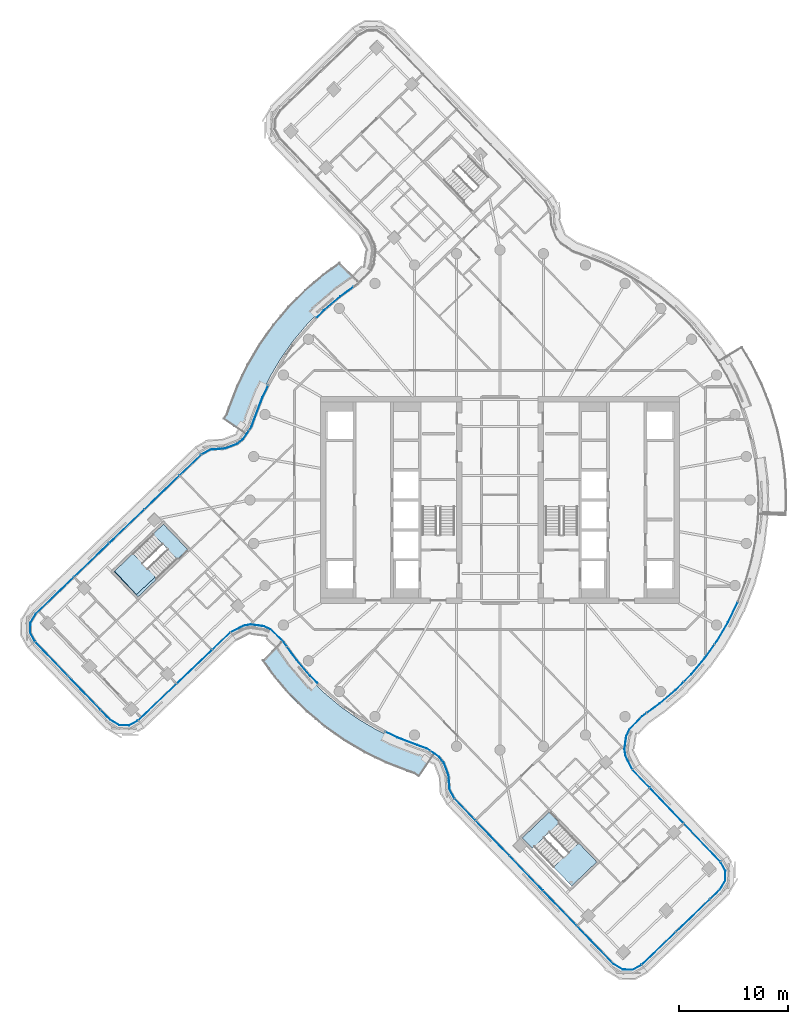
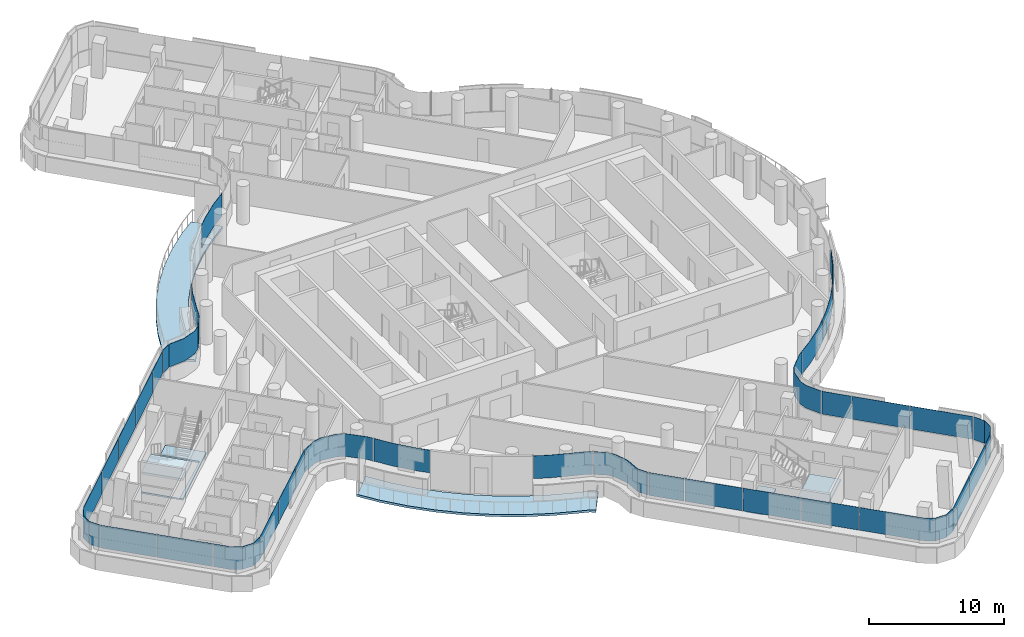
# One storey, part 18 of 34: 33 plates, 6 slabs, 11 elements without a shape of their own.
"""IFC4 building model written with IfcOpenShell, lengths in metres."""

from ifc_helpers import new_model, si_unit, direction, frame, origin, place, context, subcontext, project, spatial, polyline, outline, extrude, material, layer, layer_set, type_object, element, aggregate, save


model = new_model("IFC4")

# Units and contexts
model_context = context("Model", 3, precision=1e-05, world=origin(), true_north=direction((0.0, 1.0)))
body_context = subcontext(model_context, "Body", "Model", "MODEL_VIEW")
ifc_project = project(units=[si_unit("LENGTHUNIT", "METRE"), si_unit("AREAUNIT", "SQUARE_METRE"), si_unit("VOLUMEUNIT", "CUBIC_METRE"), si_unit("PLANEANGLEUNIT", "RADIAN"), si_unit("MASSUNIT", "GRAM", prefix="KILO")], contexts=[model_context])

# Site, building, storey
site_placement = place(None, origin())
site = spatial("IfcSite", under=ifc_project, at=site_placement, CompositionType="ELEMENT")
building_placement = place(site_placement, origin())
building = spatial("IfcBuilding", under=site, at=building_placement, Name="Tamarind Cross Interchange Tower", CompositionType="ELEMENT")
storey_placement = place(building_placement, frame((0.0, 0.0, 193.300048828125)))
storey = spatial("IfcBuildingStorey", under=building, at=storey_placement, Name="L48", CompositionType="ELEMENT", Elevation=193.300048828125)

# Slabs
ifc_material_1 = material(Name="Precast concrete C40", Category="concrete")
ifc_layer_1 = layer(ifc_material_1, 0.199951171875)
ifc_layer_set_1 = layer_set([ifc_layer_1], Name="Precast concrete C40")
slab_type_1 = type_object("IfcSlabType", Name="Balcony slab", PredefinedType="BASESLAB", material=ifc_layer_set_1)
slab_1_placement = place(storey_placement, frame((0.0, 0.0, -0.199951171875)))
element("IfcSlab", 1, at=slab_1_placement, inside=storey, type_object=slab_type_1, Name="SLB-L48-BAL02", PredefinedType="BASESLAB", context=body_context, shape_type="SweptSolid", body=[
    extrude(outline(polyline([(-20.123046875, -13.123291015625), (-20.031982421875, -13.2109375), (-18.87255859375, -14.820068359375), (-17.584228515625, -16.327880859375), (-16.17578125, -17.72412109375), (-14.656982421875, -18.99951171875), (-13.0380859375, -20.14501953125), (-11.329833984375, -21.15283203125), (-9.54443359375, -22.01611328125), (-7.69384765625, -22.72900390625), (-6.82763671875, -23.034423828125), (-6.17333984375, -23.475830078125), (-7.515625, -25.465576171875), (-7.915283203125, -25.19580078125), (-8.5244140625, -24.98095703125), (-10.499755859375, -24.219970703125), (-12.464111328125, -23.270263671875), (-14.343017578125, -22.161376953125), (-16.124267578125, -20.9013671875), (-17.795166015625, -19.498291015625), (-19.344482421875, -17.96240234375), (-20.76171875, -16.303466796875), (-21.85205078125, -14.790283203125), (-21.786376953125, -14.853271484375), (-20.123046875, -13.123291015625)])), origin(), (0.0, 0.0, 1.0), 0.199951171875),
])
slab_2_placement = place(storey_placement, frame((0.0, 0.0, -0.199951171875)))
element("IfcSlab", 2, at=slab_2_placement, inside=storey, type_object=slab_type_1, Name="SLB-L48-BAL10", PredefinedType="BASESLAB", context=body_context, shape_type="SweptSolid", body=[
    extrude(outline(polyline([(-13.123291015625, 20.123046875), (-13.2109375, 20.031982421875), (-14.820068359375, 18.87255859375), (-16.327880859375, 17.584228515625), (-17.72412109375, 16.17578125), (-18.99951171875, 14.656982421875), (-20.14501953125, 13.0380859375), (-21.15283203125, 11.329833984375), (-22.01611328125, 9.54443359375), (-22.72900390625, 7.69384765625), (-23.034423828125, 6.82763671875), (-23.475830078125, 6.17333984375), (-25.465576171875, 7.515625), (-25.19580078125, 7.915283203125), (-24.98095703125, 8.5244140625), (-24.219970703125, 10.499755859375), (-23.270263671875, 12.464111328125), (-22.161376953125, 14.343017578125), (-20.9013671875, 16.124267578125), (-19.498291015625, 17.795166015625), (-17.96240234375, 19.344482421875), (-16.303466796875, 20.76171875), (-14.790283203125, 21.85205078125), (-14.853271484375, 21.786376953125), (-13.123291015625, 20.123046875)])), origin(), (0.0, 0.0, 1.0), 0.199951171875),
])
ifc_material_2 = material(Name="Concrete C35", Category="concrete")
ifc_layer_2 = layer(ifc_material_2, 0.139892578125)
ifc_layer_set_2 = layer_set([ifc_layer_2], Name="Concrete C35")
slab_type_2 = type_object("IfcSlabType", Name="Composite slab 140 Concrete C35", PredefinedType="FLOOR", material=ifc_layer_set_2)
slab_3_placement = place(storey_placement, frame((0.0, 0.0, -0.14013671875)))
element("IfcSlab", 3, at=slab_3_placement, inside=storey, type_object=slab_type_2, Name="Floor slab L48", PredefinedType="FLOOR", context=body_context, shape_type="SweptSolid", body=[
    extrude(outline(polyline([(-35.49560546875, -6.5966796875), (-33.277587890625, -8.9033203125), (-28.736572265625, -4.536376953125), (-30.954833984375, -2.229736328125), (-31.900390625, -3.13916015625), (-29.80029296875, -5.322998046875), (-33.43798828125, -8.696044921875), (-35.43701171875, -6.540283203125), (-35.49560546875, -6.5966796875)])), origin(), (0.0, 0.0, 1.0), 0.14013671875),
])
slab_4_placement = place(storey_placement, frame((0.0, 0.0, -0.14013671875)))
element("IfcSlab", 4, at=slab_4_placement, inside=storey, type_object=slab_type_2, Name="Floor slab L48", PredefinedType="FLOOR", context=body_context, shape_type="SweptSolid", body=[
    extrude(outline(polyline([(2.98779296875, -32.0458984375), (5.44580078125, -29.682373046875), (4.511962890625, -28.711181640625), (2.053955078125, -31.074951171875), (2.98779296875, -32.0458984375)])), origin(), (0.0, 0.0, 1.0), 0.14013671875),
])

# Stair, slab
ifc_material_3 = material(Name="Exit stair")
stair_type = type_object("IfcStairType", Name="Exit stair", PredefinedType="HALF_TURN_STAIR", material=ifc_material_3)
stair_1_placement = place(storey_placement, origin())
stair_1 = element("IfcStair", 5, at=stair_1_placement, inside=storey, type_object=stair_type, Name="L48 exit stair ST5", PredefinedType="HALF_TURN_STAIR")
ifc_material_4 = material(Name="Concrete C40", Category="concrete")
ifc_layer_3 = layer(ifc_material_4, 0.199951171875)
ifc_layer_set_3 = layer_set([ifc_layer_3], Name="Concrete C40")
slab_type_3 = type_object("IfcSlabType", Name="Stair landing", PredefinedType="LANDING", material=ifc_layer_set_3)
slab_5_placement = place(storey_placement, frame((0.0, 0.0, 1.599853515625)))
slab_5 = element("IfcSlab", 6, at=slab_5_placement, type_object=slab_type_3, Name="ST5 landing 1", PredefinedType="LANDING", context=body_context, shape_type="SweptSolid", body=[
    extrude(outline(polyline([(-33.757080078125, -4.9248046875), (-35.49560546875, -6.5966796875), (-33.277587890625, -8.9033203125), (-31.5390625, -7.2314453125), (-33.757080078125, -4.9248046875)])), origin(), (0.0, 0.0, 1.0), 0.2001953125),
])
aggregate(stair_1, [slab_5])

stair_2_placement = place(storey_placement, origin())
stair_2 = element("IfcStair", 7, at=stair_2_placement, inside=storey, type_object=stair_type, Name="L48 exit stair ST6", PredefinedType="HALF_TURN_STAIR")
slab_6_placement = place(storey_placement, frame((0.0, 0.0, 1.599853515625)))
slab_6 = element("IfcSlab", 8, at=slab_6_placement, type_object=slab_type_3, Name="ST6 landing 1", PredefinedType="LANDING", context=body_context, shape_type="SweptSolid", body=[
    extrude(outline(polyline([(4.9248046875, -33.757080078125), (6.5966796875, -35.49560546875), (8.9033203125, -33.277587890625), (7.2314453125, -31.5390625), (4.9248046875, -33.757080078125)])), origin(), (0.0, 0.0, 1.0), 0.2001953125),
])
aggregate(stair_2, [slab_6])

# Curtain wall, plates
ifc_material_5 = material(Name="Aluminium 6063-T6", Category="aluminium")
ifc_layer_4 = layer(ifc_material_5, 0.139892578125)
ifc_layer_set_4 = layer_set([ifc_layer_4], Name="Aluminium 6063-T6")
curtain_wall_type = type_object("IfcCurtainWallType", Name="Hotel curtain wall, 4.5 m bays", PredefinedType="NOTDEFINED", material=ifc_layer_set_4)
curtain_wall_1_placement = place(storey_placement, origin())
curtain_wall_1 = element("IfcCurtainWall", 9, at=curtain_wall_1_placement, inside=storey, type_object=curtain_wall_type, Name="CWS-L48-00", PredefinedType="NOTDEFINED")
ifc_material_6 = material(Name="Laminated low-e glass 6+1.52+6", Category="glass")
ifc_layer_5 = layer(ifc_material_6, 0.02392578125)
ifc_layer_set_5 = layer_set([ifc_layer_5], Name="Laminated low-e glass 6+1.52+6")
plate_type = type_object("IfcPlateType", Name="Vision panel CW2", PredefinedType="CURTAIN_PANEL", material=ifc_layer_set_5)
plate_1_placement = place(storey_placement, frame((0.0, 0.0, 1.39990234375)))
plate_1 = element("IfcPlate", 10, at=plate_1_placement, type_object=plate_type, Name="CWP-L48-00-00", PredefinedType="CURTAIN_PANEL", context=body_context, shape_type="SweptSolid", body=[
    extrude(outline(polyline([(-42.709228515625, -13.057373046875), (-39.738525390625, -16.146240234375), (-39.755859375, -16.162841796875), (-42.7265625, -13.073974609375), (-42.709228515625, -13.057373046875)])), origin(), (0.0, 0.0, 1.0), 2.06005859375),
])
plate_2_placement = place(storey_placement, frame((0.0, 0.0, 1.39990234375)))
plate_2 = element("IfcPlate", 11, at=plate_2_placement, type_object=plate_type, Name="CWP-L48-00-01", PredefinedType="CURTAIN_PANEL", context=body_context, shape_type="SweptSolid", body=[
    extrude(outline(polyline([(-39.697021484375, -16.189453125), (-36.726318359375, -19.278564453125), (-36.74365234375, -19.295166015625), (-39.71435546875, -16.2060546875), (-39.697021484375, -16.189453125)])), origin(), (0.0, 0.0, 1.0), 2.06005859375),
])
plate_3_placement = place(storey_placement, frame((0.0, 0.0, 1.39990234375)))
plate_3 = element("IfcPlate", 12, at=plate_3_placement, type_object=plate_type, Name="CWP-L48-00-02", PredefinedType="CURTAIN_PANEL", context=body_context, shape_type="SweptSolid", body=[
    extrude(outline(polyline([(-36.684814453125, -19.32177734375), (-35.8359375, -20.204345703125), (-35.022216796875, -20.695556640625), (-34.1005859375, -20.713623046875), (-33.29296875, -20.26806640625), (-33.28125, -20.2890625), (-34.0947265625, -20.73779296875), (-35.029052734375, -20.719482421875), (-35.85107421875, -20.22314453125), (-36.7021484375, -19.33837890625), (-36.684814453125, -19.32177734375)])), origin(), (0.0, 0.0, 1.0), 2.06005859375),
])
aggregate(curtain_wall_1, [plate_1, plate_2, plate_3])

curtain_wall_2_placement = place(storey_placement, origin())
curtain_wall_2 = element("IfcCurtainWall", 13, at=curtain_wall_2_placement, inside=storey, type_object=curtain_wall_type, Name="CWS-L48-01", PredefinedType="NOTDEFINED")
plate_4_placement = place(storey_placement, frame((0.0, 0.0, 1.39990234375)))
plate_4 = element("IfcPlate", 14, at=plate_4_placement, type_object=plate_type, Name="CWP-L48-01-00", PredefinedType="CURTAIN_PANEL", context=body_context, shape_type="SweptSolid", body=[
    extrude(outline(polyline([(-33.247314453125, -20.234619140625), (-29.75244140625, -16.89892578125), (-29.736083984375, -16.916259765625), (-33.23095703125, -20.251953125), (-33.247314453125, -20.234619140625)])), origin(), (0.0, 0.0, 1.0), 2.06005859375),
])
plate_5_placement = place(storey_placement, frame((0.0, 0.0, 1.39990234375)))
plate_5 = element("IfcPlate", 15, at=plate_5_placement, type_object=plate_type, Name="CWP-L48-01-01", PredefinedType="CURTAIN_PANEL", context=body_context, shape_type="SweptSolid", body=[
    extrude(outline(polyline([(-29.709228515625, -16.857666015625), (-26.49609375, -13.791015625), (-26.4794921875, -13.808349609375), (-29.692626953125, -16.875), (-29.709228515625, -16.857666015625)])), origin(), (0.0, 0.0, 1.0), 2.06005859375),
])
plate_6_placement = place(storey_placement, frame((0.0, 0.0, 1.39990234375)))
plate_6 = element("IfcPlate", 16, at=plate_6_placement, type_object=plate_type, Name="CWP-L48-01-02", PredefinedType="CURTAIN_PANEL", context=body_context, shape_type="SweptSolid", body=[
    extrude(outline(polyline([(-26.452880859375, -13.74951171875), (-24.81591796875, -12.187255859375), (-24.79931640625, -12.20458984375), (-26.436279296875, -13.766845703125), (-26.452880859375, -13.74951171875)])), origin(), (0.0, 0.0, 1.0), 2.06005859375),
])
aggregate(curtain_wall_2, [plate_4, plate_5, plate_6])

curtain_wall_3_placement = place(storey_placement, origin())
curtain_wall_3 = element("IfcCurtainWall", 17, at=curtain_wall_3_placement, inside=storey, type_object=curtain_wall_type, Name="CWS-L48-02", PredefinedType="NOTDEFINED")
plate_7_placement = place(storey_placement, frame((0.0, 0.0, 1.39990234375)))
plate_7 = element("IfcPlate", 18, at=plate_7_placement, type_object=plate_type, Name="CWP-L48-02-00", PredefinedType="CURTAIN_PANEL", context=body_context, shape_type="SweptSolid", body=[
    extrude(outline(polyline([(-24.764404296875, -12.151123046875), (-23.556640625, -11.54345703125), (-22.924072265625, -11.4375), (-21.702880859375, -11.601806640625), (-21.11767578125, -11.872802734375), (-19.87109375, -13.0712890625), (-19.60986328125, -13.433837890625), (-19.62939453125, -13.447998046875), (-19.889404296875, -13.087158203125), (-21.13134765625, -11.892822265625), (-21.709716796875, -11.625244140625), (-22.923828125, -11.461669921875), (-23.549072265625, -11.566650390625), (-24.753662109375, -12.17236328125), (-24.764404296875, -12.151123046875)])), origin(), (0.0, 0.0, 1.0), 2.06005859375),
])
plate_8_placement = place(storey_placement, frame((0.0, 0.0, 1.39990234375)))
plate_8 = element("IfcPlate", 19, at=plate_8_placement, type_object=plate_type, Name="CWP-L48-02-01", PredefinedType="CURTAIN_PANEL", context=body_context, shape_type="SweptSolid", body=[
    extrude(outline(polyline([(-19.574951171875, -13.482666015625), (-18.705810546875, -14.68896484375), (-17.4287109375, -16.183349609375), (-16.738037109375, -16.868408203125), (-16.7548828125, -16.88525390625), (-17.4462890625, -16.19970703125), (-18.724609375, -14.703857421875), (-19.594482421875, -13.49658203125), (-19.574951171875, -13.482666015625)])), origin(), (0.0, 0.0, 1.0), 2.06005859375),
])
plate_9_placement = place(storey_placement, frame((0.0, 0.0, 1.39990234375)))
plate_9 = element("IfcPlate", 20, at=plate_9_placement, type_object=plate_type, Name="CWP-L48-02-03", PredefinedType="CURTAIN_PANEL", context=body_context, shape_type="SweptSolid", body=[
    extrude(outline(polyline([(-10.495849609375, -21.320556640625), (-9.4599609375, -21.821533203125), (-7.620361328125, -22.5302734375), (-6.731689453125, -22.843505859375), (-6.421875, -23.052490234375), (-6.435302734375, -23.072265625), (-6.742431640625, -22.865234375), (-7.628662109375, -22.552734375), (-9.469482421875, -21.843505859375), (-10.50634765625, -21.34228515625), (-10.495849609375, -21.320556640625)])), origin(), (0.0, 0.0, 1.0), 2.06005859375),
])
plate_10_placement = place(storey_placement, frame((0.0, 0.0, 1.39990234375)))
plate_10 = element("IfcPlate", 21, at=plate_10_placement, type_object=plate_type, Name="CWP-L48-02-04", PredefinedType="CURTAIN_PANEL", context=body_context, shape_type="SweptSolid", body=[
    extrude(outline(polyline([(-6.372314453125, -23.0859375), (-5.5732421875, -23.625), (-5.16796875, -24.133056640625), (-4.7177734375, -25.296875), (-4.619873046875, -26.658935546875), (-4.18115234375, -27.434814453125), (-4.2021484375, -27.446533203125), (-4.6435546875, -26.666015625), (-4.741455078125, -25.30224609375), (-5.18896484375, -24.14501953125), (-5.589599609375, -23.642822265625), (-6.3857421875, -23.10595703125), (-6.372314453125, -23.0859375)])), origin(), (0.0, 0.0, 1.0), 2.06005859375),
])
aggregate(curtain_wall_3, [plate_7, plate_8, plate_9, plate_10])

curtain_wall_4_placement = place(storey_placement, origin())
curtain_wall_4 = element("IfcCurtainWall", 22, at=curtain_wall_4_placement, inside=storey, type_object=curtain_wall_type, Name="CWS-L48-03", PredefinedType="NOTDEFINED")
plate_11_placement = place(storey_placement, frame((0.0, 0.0, 1.39990234375)))
plate_11 = element("IfcPlate", 23, at=plate_11_placement, type_object=plate_type, Name="CWP-L48-03-00", PredefinedType="CURTAIN_PANEL", context=body_context, shape_type="SweptSolid", body=[
    extrude(outline(polyline([(-4.1474609375, -27.47998046875), (-2.2666015625, -29.435791015625), (-2.283935546875, -29.452392578125), (-4.164794921875, -27.496826171875), (-4.1474609375, -27.47998046875)])), origin(), (0.0, 0.0, 1.0), 2.06005859375),
])
plate_12_placement = place(storey_placement, frame((0.0, 0.0, 1.39990234375)))
plate_12 = element("IfcPlate", 24, at=plate_12_placement, type_object=plate_type, Name="CWP-L48-03-01", PredefinedType="CURTAIN_PANEL", context=body_context, shape_type="SweptSolid", body=[
    extrude(outline(polyline([(-2.22509765625, -29.47900390625), (0.84521484375, -32.67138671875), (0.827880859375, -32.68798828125), (-2.2421875, -29.495849609375), (-2.22509765625, -29.47900390625)])), origin(), (0.0, 0.0, 1.0), 2.06005859375),
])
plate_13_placement = place(storey_placement, frame((0.0, 0.0, 1.39990234375)))
plate_13 = element("IfcPlate", 25, at=plate_13_placement, type_object=plate_type, Name="CWP-L48-03-02", PredefinedType="CURTAIN_PANEL", context=body_context, shape_type="SweptSolid", body=[
    extrude(outline(polyline([(0.88671875, -32.714599609375), (3.956787109375, -35.906982421875), (3.939453125, -35.923828125), (0.869384765625, -32.731201171875), (0.88671875, -32.714599609375)])), origin(), (0.0, 0.0, 1.0), 2.06005859375),
])
plate_14_placement = place(storey_placement, frame((0.0, 0.0, 1.39990234375)))
plate_14 = element("IfcPlate", 26, at=plate_14_placement, type_object=plate_type, Name="CWP-L48-03-03", PredefinedType="CURTAIN_PANEL", context=body_context, shape_type="SweptSolid", body=[
    extrude(outline(polyline([(3.99853515625, -35.950439453125), (7.068359375, -39.142578125), (7.051025390625, -39.1591796875), (3.981201171875, -35.967041015625), (3.99853515625, -35.950439453125)])), origin(), (0.0, 0.0, 1.0), 2.06005859375),
])
plate_15_placement = place(storey_placement, frame((0.0, 0.0, 1.39990234375)))
plate_15 = element("IfcPlate", 27, at=plate_15_placement, type_object=plate_type, Name="CWP-L48-03-04", PredefinedType="CURTAIN_PANEL", context=body_context, shape_type="SweptSolid", body=[
    extrude(outline(polyline([(7.110107421875, -39.185791015625), (10.46923828125, -42.678955078125), (11.282958984375, -43.170166015625), (12.20458984375, -43.18798828125), (13.011962890625, -42.74267578125), (13.0234375, -42.763671875), (12.21044921875, -43.212158203125), (11.276123046875, -43.19384765625), (10.4541015625, -42.69775390625), (7.0927734375, -39.202392578125), (7.110107421875, -39.185791015625)])), origin(), (0.0, 0.0, 1.0), 2.06005859375),
])
aggregate(curtain_wall_4, [plate_11, plate_12, plate_13, plate_14, plate_15])

curtain_wall_5_placement = place(storey_placement, origin())
curtain_wall_5 = element("IfcCurtainWall", 28, at=curtain_wall_5_placement, inside=storey, type_object=curtain_wall_type, Name="CWS-L48-04", PredefinedType="NOTDEFINED")
plate_16_placement = place(storey_placement, frame((0.0, 0.0, 1.39990234375)))
plate_16 = element("IfcPlate", 29, at=plate_16_placement, type_object=plate_type, Name="CWP-L48-04-00", PredefinedType="CURTAIN_PANEL", context=body_context, shape_type="SweptSolid", body=[
    extrude(outline(polyline([(13.057373046875, -42.709228515625), (16.146240234375, -39.738525390625), (16.162841796875, -39.755859375), (13.073974609375, -42.7265625), (13.057373046875, -42.709228515625)])), origin(), (0.0, 0.0, 1.0), 2.06005859375),
])
plate_17_placement = place(storey_placement, frame((0.0, 0.0, 1.39990234375)))
plate_17 = element("IfcPlate", 30, at=plate_17_placement, type_object=plate_type, Name="CWP-L48-04-01", PredefinedType="CURTAIN_PANEL", context=body_context, shape_type="SweptSolid", body=[
    extrude(outline(polyline([(16.189453125, -39.697021484375), (19.278564453125, -36.726318359375), (19.295166015625, -36.74365234375), (16.2060546875, -39.71435546875), (16.189453125, -39.697021484375)])), origin(), (0.0, 0.0, 1.0), 2.06005859375),
])
plate_18_placement = place(storey_placement, frame((0.0, 0.0, 1.39990234375)))
plate_18 = element("IfcPlate", 31, at=plate_18_placement, type_object=plate_type, Name="CWP-L48-04-02", PredefinedType="CURTAIN_PANEL", context=body_context, shape_type="SweptSolid", body=[
    extrude(outline(polyline([(19.32177734375, -36.684814453125), (20.204345703125, -35.8359375), (20.695556640625, -35.022216796875), (20.713623046875, -34.1005859375), (20.26806640625, -33.29296875), (20.2890625, -33.28125), (20.73779296875, -34.0947265625), (20.719482421875, -35.029052734375), (20.22314453125, -35.85107421875), (19.33837890625, -36.7021484375), (19.32177734375, -36.684814453125)])), origin(), (0.0, 0.0, 1.0), 2.06005859375),
])
aggregate(curtain_wall_5, [plate_16, plate_17, plate_18])

curtain_wall_6_placement = place(storey_placement, origin())
curtain_wall_6 = element("IfcCurtainWall", 32, at=curtain_wall_6_placement, inside=storey, type_object=curtain_wall_type, Name="CWS-L48-05", PredefinedType="NOTDEFINED")
plate_19_placement = place(storey_placement, frame((0.0, 0.0, 1.39990234375)))
plate_19 = element("IfcPlate", 33, at=plate_19_placement, type_object=plate_type, Name="CWP-L48-05-00", PredefinedType="CURTAIN_PANEL", context=body_context, shape_type="SweptSolid", body=[
    extrude(outline(polyline([(20.234619140625, -33.247314453125), (16.89892578125, -29.75244140625), (16.916259765625, -29.736083984375), (20.251953125, -33.23095703125), (20.234619140625, -33.247314453125)])), origin(), (0.0, 0.0, 1.0), 2.06005859375),
])
plate_20_placement = place(storey_placement, frame((0.0, 0.0, 1.39990234375)))
plate_20 = element("IfcPlate", 34, at=plate_20_placement, type_object=plate_type, Name="CWP-L48-05-01", PredefinedType="CURTAIN_PANEL", context=body_context, shape_type="SweptSolid", body=[
    extrude(outline(polyline([(16.857666015625, -29.709228515625), (13.791015625, -26.49609375), (13.808349609375, -26.4794921875), (16.875, -29.692626953125), (16.857666015625, -29.709228515625)])), origin(), (0.0, 0.0, 1.0), 2.06005859375),
])
plate_21_placement = place(storey_placement, frame((0.0, 0.0, 1.39990234375)))
plate_21 = element("IfcPlate", 35, at=plate_21_placement, type_object=plate_type, Name="CWP-L48-05-02", PredefinedType="CURTAIN_PANEL", context=body_context, shape_type="SweptSolid", body=[
    extrude(outline(polyline([(13.74951171875, -26.452880859375), (12.187255859375, -24.81591796875), (12.20458984375, -24.79931640625), (13.766845703125, -26.436279296875), (13.74951171875, -26.452880859375)])), origin(), (0.0, 0.0, 1.0), 2.06005859375),
])
aggregate(curtain_wall_6, [plate_19, plate_20, plate_21])

curtain_wall_7_placement = place(storey_placement, origin())
curtain_wall_7 = element("IfcCurtainWall", 36, at=curtain_wall_7_placement, inside=storey, type_object=curtain_wall_type, Name="CWS-L48-06", PredefinedType="NOTDEFINED")
plate_22_placement = place(storey_placement, frame((0.0, 0.0, 1.39990234375)))
plate_22 = element("IfcPlate", 37, at=plate_22_placement, type_object=plate_type, Name="CWP-L48-06-00", PredefinedType="CURTAIN_PANEL", context=body_context, shape_type="SweptSolid", body=[
    extrude(outline(polyline([(12.151123046875, -24.764404296875), (11.54345703125, -23.556640625), (11.4375, -22.924072265625), (11.601806640625, -21.702880859375), (11.872802734375, -21.11767578125), (13.0712890625, -19.87109375), (13.433837890625, -19.60986328125), (13.447998046875, -19.62939453125), (13.087158203125, -19.889404296875), (11.892822265625, -21.13134765625), (11.625244140625, -21.709716796875), (11.461669921875, -22.923828125), (11.566650390625, -23.549072265625), (12.17236328125, -24.753662109375), (12.151123046875, -24.764404296875)])), origin(), (0.0, 0.0, 1.0), 2.06005859375),
])
plate_23_placement = place(storey_placement, frame((0.0, 0.0, 1.39990234375)))
plate_23 = element("IfcPlate", 38, at=plate_23_placement, type_object=plate_type, Name="CWP-L48-06-01", PredefinedType="CURTAIN_PANEL", context=body_context, shape_type="SweptSolid", body=[
    extrude(outline(polyline([(13.482666015625, -19.574951171875), (14.68896484375, -18.705810546875), (16.183349609375, -17.4287109375), (16.868408203125, -16.738037109375), (16.88525390625, -16.7548828125), (16.19970703125, -17.4462890625), (14.703857421875, -18.724609375), (13.49658203125, -19.594482421875), (13.482666015625, -19.574951171875)])), origin(), (0.0, 0.0, 1.0), 2.06005859375),
])
plate_24_placement = place(storey_placement, frame((0.0, 0.0, 1.39990234375)))
plate_24 = element("IfcPlate", 39, at=plate_24_placement, type_object=plate_type, Name="CWP-L48-06-02", PredefinedType="CURTAIN_PANEL", context=body_context, shape_type="SweptSolid", body=[
    extrude(outline(polyline([(16.91064453125, -16.6953125), (17.5673828125, -16.032958984375), (18.83154296875, -14.52734375), (19.701416015625, -13.297607421875), (19.720947265625, -13.3115234375), (18.850341796875, -14.5419921875), (17.585205078125, -16.049072265625), (16.927490234375, -16.71240234375), (16.91064453125, -16.6953125)])), origin(), (0.0, 0.0, 1.0), 2.06005859375),
])
plate_25_placement = place(storey_placement, frame((0.0, 0.0, 1.39990234375)))
plate_25 = element("IfcPlate", 40, at=plate_25_placement, type_object=plate_type, Name="CWP-L48-06-03", PredefinedType="CURTAIN_PANEL", context=body_context, shape_type="SweptSolid", body=[
    extrude(outline(polyline([(19.736083984375, -13.248779296875), (19.966796875, -12.922607421875), (20.9658203125, -11.229736328125), (21.821533203125, -9.4599609375), (21.84765625, -9.39208984375), (21.8701171875, -9.400634765625), (21.843505859375, -9.469482421875), (20.98681640625, -11.240966796875), (19.987060546875, -12.935791015625), (19.755615234375, -13.262451171875), (19.736083984375, -13.248779296875)])), origin(), (0.0, 0.0, 1.0), 2.06005859375),
])
aggregate(curtain_wall_7, [plate_22, plate_23, plate_24, plate_25])

curtain_wall_8_placement = place(storey_placement, origin())
curtain_wall_8 = element("IfcCurtainWall", 41, at=curtain_wall_8_placement, inside=storey, type_object=curtain_wall_type, Name="CWS-L48-10", PredefinedType="NOTDEFINED")
plate_26_placement = place(storey_placement, frame((0.0, 0.0, 1.39990234375)))
plate_26 = element("IfcPlate", 42, at=plate_26_placement, type_object=plate_type, Name="CWP-L48-10-01", PredefinedType="CURTAIN_PANEL", context=body_context, shape_type="SweptSolid", body=[
    extrude(outline(polyline([(-13.482666015625, 19.574951171875), (-14.68896484375, 18.705810546875), (-16.183349609375, 17.4287109375), (-16.868408203125, 16.738037109375), (-16.88525390625, 16.7548828125), (-16.19970703125, 17.4462890625), (-14.703857421875, 18.724609375), (-13.49658203125, 19.594482421875), (-13.482666015625, 19.574951171875)])), origin(), (0.0, 0.0, 1.0), 2.06005859375),
])
plate_27_placement = place(storey_placement, frame((0.0, 0.0, 1.39990234375)))
plate_27 = element("IfcPlate", 43, at=plate_27_placement, type_object=plate_type, Name="CWP-L48-10-03", PredefinedType="CURTAIN_PANEL", context=body_context, shape_type="SweptSolid", body=[
    extrude(outline(polyline([(-21.320556640625, 10.495849609375), (-21.821533203125, 9.4599609375), (-22.5302734375, 7.620361328125), (-22.843505859375, 6.731689453125), (-23.052490234375, 6.421875), (-23.072265625, 6.435302734375), (-22.865234375, 6.742431640625), (-22.552734375, 7.628662109375), (-21.843505859375, 9.469482421875), (-21.34228515625, 10.50634765625), (-21.320556640625, 10.495849609375)])), origin(), (0.0, 0.0, 1.0), 2.06005859375),
])
plate_28_placement = place(storey_placement, frame((0.0, 0.0, 1.39990234375)))
plate_28 = element("IfcPlate", 44, at=plate_28_placement, type_object=plate_type, Name="CWP-L48-10-04", PredefinedType="CURTAIN_PANEL", context=body_context, shape_type="SweptSolid", body=[
    extrude(outline(polyline([(-23.0859375, 6.372314453125), (-23.625, 5.5732421875), (-24.133056640625, 5.16796875), (-25.296875, 4.7177734375), (-26.658935546875, 4.619873046875), (-27.434814453125, 4.18115234375), (-27.446533203125, 4.2021484375), (-26.666015625, 4.6435546875), (-25.30224609375, 4.741455078125), (-24.14501953125, 5.18896484375), (-23.642822265625, 5.589599609375), (-23.10595703125, 6.3857421875), (-23.0859375, 6.372314453125)])), origin(), (0.0, 0.0, 1.0), 2.06005859375),
])
aggregate(curtain_wall_8, [plate_26, plate_27, plate_28])

curtain_wall_9_placement = place(storey_placement, origin())
curtain_wall_9 = element("IfcCurtainWall", 45, at=curtain_wall_9_placement, inside=storey, type_object=curtain_wall_type, Name="CWS-L48-11", PredefinedType="NOTDEFINED")
plate_29_placement = place(storey_placement, frame((0.0, 0.0, 1.39990234375)))
plate_29 = element("IfcPlate", 46, at=plate_29_placement, type_object=plate_type, Name="CWP-L48-11-00", PredefinedType="CURTAIN_PANEL", context=body_context, shape_type="SweptSolid", body=[
    extrude(outline(polyline([(-27.47998046875, 4.1474609375), (-29.435791015625, 2.2666015625), (-29.452392578125, 2.283935546875), (-27.496826171875, 4.164794921875), (-27.47998046875, 4.1474609375)])), origin(), (0.0, 0.0, 1.0), 2.06005859375),
])
plate_30_placement = place(storey_placement, frame((0.0, 0.0, 1.39990234375)))
plate_30 = element("IfcPlate", 47, at=plate_30_placement, type_object=plate_type, Name="CWP-L48-11-01", PredefinedType="CURTAIN_PANEL", context=body_context, shape_type="SweptSolid", body=[
    extrude(outline(polyline([(-29.47900390625, 2.22509765625), (-32.67138671875, -0.84521484375), (-32.68798828125, -0.827880859375), (-29.495849609375, 2.2421875), (-29.47900390625, 2.22509765625)])), origin(), (0.0, 0.0, 1.0), 2.06005859375),
])
plate_31_placement = place(storey_placement, frame((0.0, 0.0, 1.39990234375)))
plate_31 = element("IfcPlate", 48, at=plate_31_placement, type_object=plate_type, Name="CWP-L48-11-02", PredefinedType="CURTAIN_PANEL", context=body_context, shape_type="SweptSolid", body=[
    extrude(outline(polyline([(-32.714599609375, -0.88671875), (-35.906982421875, -3.956787109375), (-35.923828125, -3.939453125), (-32.731201171875, -0.869384765625), (-32.714599609375, -0.88671875)])), origin(), (0.0, 0.0, 1.0), 2.06005859375),
])
plate_32_placement = place(storey_placement, frame((0.0, 0.0, 1.39990234375)))
plate_32 = element("IfcPlate", 49, at=plate_32_placement, type_object=plate_type, Name="CWP-L48-11-03", PredefinedType="CURTAIN_PANEL", context=body_context, shape_type="SweptSolid", body=[
    extrude(outline(polyline([(-35.950439453125, -3.99853515625), (-39.142578125, -7.068359375), (-39.1591796875, -7.051025390625), (-35.967041015625, -3.981201171875), (-35.950439453125, -3.99853515625)])), origin(), (0.0, 0.0, 1.0), 2.06005859375),
])
plate_33_placement = place(storey_placement, frame((0.0, 0.0, 1.39990234375)))
plate_33 = element("IfcPlate", 50, at=plate_33_placement, type_object=plate_type, Name="CWP-L48-11-04", PredefinedType="CURTAIN_PANEL", context=body_context, shape_type="SweptSolid", body=[
    extrude(outline(polyline([(-39.185791015625, -7.110107421875), (-42.678955078125, -10.46923828125), (-43.170166015625, -11.282958984375), (-43.18798828125, -12.20458984375), (-42.74267578125, -13.011962890625), (-42.763671875, -13.0234375), (-43.212158203125, -12.21044921875), (-43.19384765625, -11.276123046875), (-42.69775390625, -10.4541015625), (-39.202392578125, -7.0927734375), (-39.185791015625, -7.110107421875)])), origin(), (0.0, 0.0, 1.0), 2.06005859375),
])
aggregate(curtain_wall_9, [plate_29, plate_30, plate_31, plate_32, plate_33])

save(model, "model.ifc")
